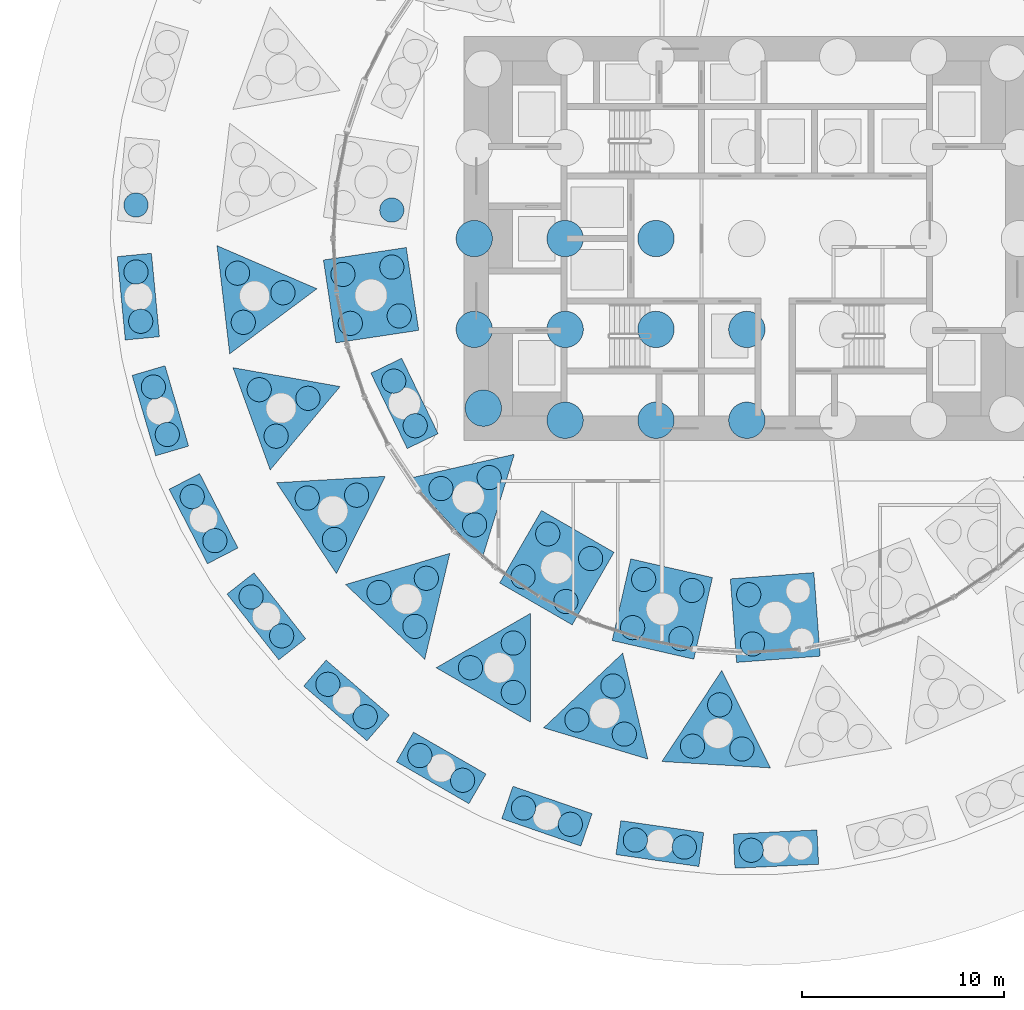
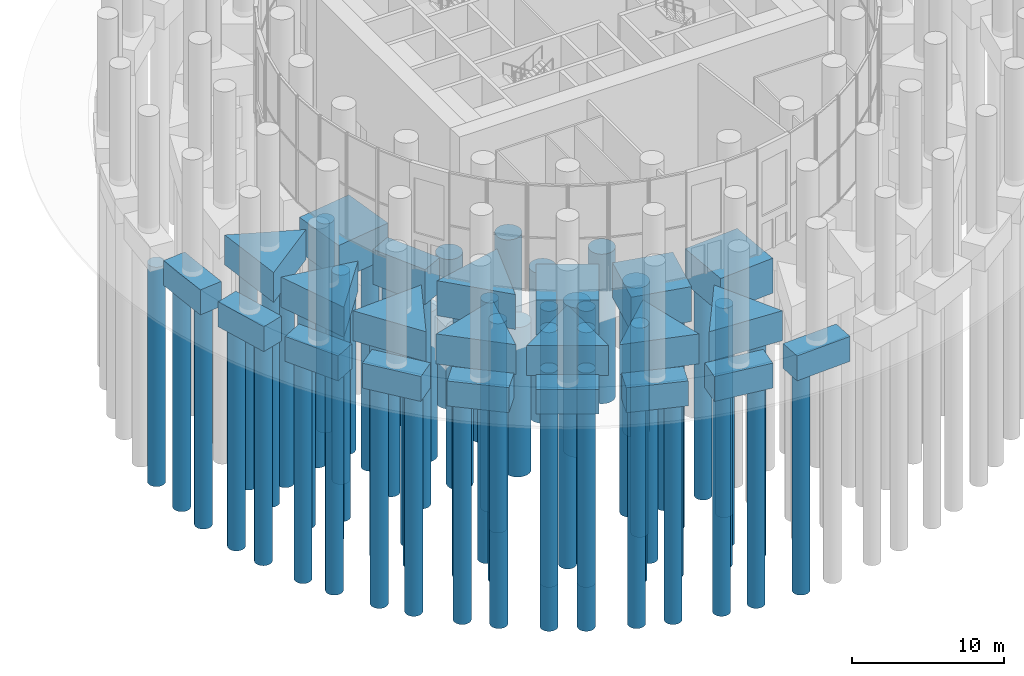
# One storey, part 1 of 20: 70 piles, 22 footings.
"""IFC4 building model written with IfcOpenShell, lengths in metres."""

from ifc_helpers import new_model, si_unit, direction, frame, origin, origin_2d, place, context, subcontext, project, spatial, polyline, circle, outline, extrude, material, material_profile, profile_set, type_object, element, save


model = new_model("IFC4")

# Units and contexts
model_context = context("Model", 3, precision=1e-05, world=origin(), true_north=direction((0.0, 1.0)))
body_context = subcontext(model_context, "Body", "Model", "MODEL_VIEW")
ifc_project = project(units=[si_unit("LENGTHUNIT", "METRE"), si_unit("AREAUNIT", "SQUARE_METRE"), si_unit("VOLUMEUNIT", "CUBIC_METRE"), si_unit("PLANEANGLEUNIT", "RADIAN"), si_unit("MASSUNIT", "GRAM", prefix="KILO")], contexts=[model_context])

# Site, building, storey
site_placement = place(None, origin())
site = spatial("IfcSite", under=ifc_project, at=site_placement, CompositionType="ELEMENT")
building_placement = place(site_placement, origin())
building = spatial("IfcBuilding", under=site, at=building_placement, Name="Tracery Tower", CompositionType="ELEMENT")
storey_placement = place(building_placement, origin())
storey = spatial("IfcBuildingStorey", under=building, at=storey_placement, Name="L00", CompositionType="ELEMENT", Elevation=0.0)

# Piles
ifc_material_1 = material(Name="Concrete C50/60", Category="concrete")
ifc_material_profile_1 = material_profile(ifc_material_1, circle(Radius=0.89990234375, at=origin_2d()), Name="RC D1800")
ifc_profile_set_1 = profile_set([ifc_material_profile_1], Name="Concrete C50/60")
pile_type_1 = type_object("IfcPileType", Name="Core bored pile D1800", PredefinedType="BORED", material=ifc_profile_set_1)
for number, where, z_axis, x_axis, name in (
    (1, (-13.050048828125, -8.39990234375, -8.0), (0.0, 0.0, -1.0), (1.0, 0.0, 0.0), "Core bored pile 01"),
    (2, (-13.5, -4.5, -8.0), (0.0, 0.0, -1.0), (1.0, 0.0, 0.0), "Core bored pile 02"),
    (3, (-13.5, 0.0, -8.0), (0.0, 0.0, -1.0), (1.0, 0.0, 0.0), "Core bored pile 03"),
    (4, (-9.0, -9.0, -8.0), (0.0, 0.0, -1.0), (1.0, 0.0, 0.0), "Core bored pile 06"),
    (5, (-9.0, -4.5, -8.0), (0.0, 0.0, -1.0), (1.0, 0.0, 0.0), "Core bored pile 07"),
    (6, (-9.0, 0.0, -8.0), (0.0, 0.0, -1.0), (1.0, 0.0, 0.0), "Core bored pile 08"),
    (7, (-4.5, -9.0, -8.0), (0.0, 0.0, -1.0), (1.0, 0.0, 0.0), "Core bored pile 11"),
    (8, (-4.5, -4.5, -8.0), (0.0, 0.0, -1.0), (1.0, 0.0, 0.0), "Core bored pile 12"),
    (9, (-4.5, 0.0, -8.0), (0.0, 0.0, -1.0), (1.0, 0.0, 0.0), "Core bored pile 13"),
    (10, (0.0, -9.0, -8.0), (0.0, 0.0, -1.0), (1.0, 0.0, 0.0), "Core bored pile 16"),
    (11, (0.0, -4.5, -8.0), (0.0, 0.0, -1.0), (1.0, 0.0, 0.0), "Core bored pile 17"),
):
    element("IfcPile", number, at=place(storey_placement, frame(where, z_axis=z_axis, x_axis=x_axis)), inside=storey, type_object=pile_type_1, Name=name, PredefinedType="BORED", context=body_context, shape_type="SweptSolid", body=[
        extrude(circle(Radius=0.89990234375, at=origin_2d()), origin(), (0.0, 0.0, 1.0), 12.0),
    ])
ifc_material_2 = material(Name="Concrete C50/60", Category="concrete")
ifc_material_profile_2 = material_profile(ifc_material_2, circle(Radius=0.60009765625, at=origin_2d()), Name="RC D1200")
ifc_profile_set_2 = profile_set([ifc_material_profile_2], Name="Concrete C50/60")
pile_type_2 = type_object("IfcPileType", Name="Ring 0 bored pile D1200", PredefinedType="BORED", material=ifc_profile_set_2)
for number, where, z_axis, x_axis, name in (
    (12, (-30.25390625, 1.658203125, -2.39990234375), (0.0, 0.0, -1.0), (1.0, 0.0, 0.0), "Bored pile 2 under ring 0 column 16"),
    (13, (-30.25390625, -1.658203125, -2.39990234375), (0.0, 0.0, -1.0), (1.0, 0.0, 0.0), "Bored pile 1 under ring 0 column 17"),
    (14, (-30.02099609375, -4.09716796875, -2.39990234375), (0.0, 0.0, -1.0), (1.0, 0.0, 0.0), "Bored pile 2 under ring 0 column 17"),
    (15, (-29.393310546875, -7.35400390625, -2.39990234375), (0.0, 0.0, -1.0), (1.0, 0.0, 0.0), "Bored pile 1 under ring 0 column 18"),
    (16, (-28.703125, -9.70458984375, -2.39990234375), (0.0, 0.0, -1.0), (1.0, 0.0, 0.0), "Bored pile 2 under ring 0 column 18"),
    (17, (-27.470458984375, -12.78369140625, -2.39990234375), (0.0, 0.0, -1.0), (1.0, 0.0, 0.0), "Bored pile 1 under ring 0 column 19"),
    (18, (-26.347900390625, -14.96142578125, -2.39990234375), (0.0, 0.0, -1.0), (1.0, 0.0, 0.0), "Bored pile 2 under ring 0 column 19"),
    (19, (-24.5546875, -17.751708984375, -2.39990234375), (0.0, 0.0, -1.0), (1.0, 0.0, 0.0), "Bored pile 1 under ring 0 column 20"),
    (20, (-23.040283203125, -19.677490234375, -2.39990234375), (0.0, 0.0, -1.0), (1.0, 0.0, 0.0), "Bored pile 2 under ring 0 column 20"),
    (21, (-20.75146484375, -22.077880859375, -2.39990234375), (0.0, 0.0, -1.0), (1.0, 0.0, 0.0), "Bored pile 1 under ring 0 column 21"),
    (22, (-18.89990234375, -23.68212890625, -2.39990234375), (0.0, 0.0, -1.0), (1.0, 0.0, 0.0), "Bored pile 2 under ring 0 column 21"),
    (23, (-16.1982421875, -25.606201171875, -2.39990234375), (0.0, 0.0, -1.0), (1.0, 0.0, 0.0), "Bored pile 1 under ring 0 column 22"),
    (24, (-14.076416015625, -26.8310546875, -2.39990234375), (0.0, 0.0, -1.0), (1.0, 0.0, 0.0), "Bored pile 2 under ring 0 column 22"),
    (25, (-11.0595703125, -28.208984375, -2.39990234375), (0.0, 0.0, -1.0), (1.0, 0.0, 0.0), "Bored pile 1 under ring 0 column 23"),
    (26, (-8.744140625, -29.01025390625, -2.39990234375), (0.0, 0.0, -1.0), (1.0, 0.0, 0.0), "Bored pile 2 under ring 0 column 23"),
    (27, (-5.52099609375, -29.7919921875, -2.39990234375), (0.0, 0.0, -1.0), (1.0, 0.0, 0.0), "Bored pile 1 under ring 0 column 24"),
    (28, (-3.095947265625, -30.140869140625, -2.39990234375), (0.0, 0.0, -1.0), (1.0, 0.0, 0.0), "Bored pile 2 under ring 0 column 24"),
    (29, (0.216796875, -30.298583984375, -2.39990234375), (0.0, 0.0, -1.0), (1.0, 0.0, 0.0), "Bored pile 1 under ring 0 column 25"),
):
    element("IfcPile", number, at=place(storey_placement, frame(where, z_axis=z_axis, x_axis=x_axis)), inside=storey, type_object=pile_type_2, Name=name, PredefinedType="BORED", context=body_context, shape_type="SweptSolid", body=[
        extrude(circle(Radius=0.60009765625, at=origin_2d()), origin(), (0.0, 0.0, 1.0), 17.60009765625),
    ])

# Footings
ifc_material_3 = material(Name="Concrete C50/60", Category="concrete")
footing_type_1 = type_object("IfcFootingType", Name="Ring 0 pile cap 2 piles", PredefinedType="PILE_CAP", material=ifc_material_3)
footing_1_placement = place(storey_placement, frame((0.0, 0.0, -2.39990234375)))
element("IfcFooting", 30, at=footing_1_placement, inside=storey, type_object=footing_type_1, Name="Pile cap under ring 0 column 17", PredefinedType="PILE_CAP", context=body_context, shape_type="SweptSolid", body=[
    extrude(outline(polyline([(-29.488525390625, -0.7314453125), (-31.180908203125, -0.89306640625), (-31.10009765625, -1.739013671875), (-30.786376953125, -5.024169921875), (-29.093994140625, -4.862548828125), (-29.1748046875, -4.016357421875), (-29.488525390625, -0.7314453125)])), origin(), (0.0, 0.0, 1.0), 2.0),
])
footing_2_placement = place(storey_placement, frame((0.0, 0.0, -2.39990234375)))
element("IfcFooting", 31, at=footing_2_placement, inside=storey, type_object=footing_type_1, Name="Pile cap under ring 0 column 18", PredefinedType="PILE_CAP", context=body_context, shape_type="SweptSolid", body=[
    extrude(outline(polyline([(-28.8173828125, -6.298828125), (-30.448486328125, -6.77783203125), (-30.208984375, -7.593505859375), (-29.279296875, -10.759765625), (-27.648193359375, -10.28076171875), (-27.8876953125, -9.465087890625), (-28.8173828125, -6.298828125)])), origin(), (0.0, 0.0, 1.0), 2.0),
])
footing_3_placement = place(storey_placement, frame((0.0, 0.0, -2.39990234375)))
element("IfcFooting", 32, at=footing_3_placement, inside=storey, type_object=footing_type_1, Name="Pile cap under ring 0 column 19", PredefinedType="PILE_CAP", context=body_context, shape_type="SweptSolid", body=[
    extrude(outline(polyline([(-27.1044921875, -11.638916015625), (-28.615478515625, -12.417724609375), (-28.22607421875, -13.17333984375), (-26.7138671875, -16.1064453125), (-25.202880859375, -15.327392578125), (-25.59228515625, -14.572021484375), (-27.1044921875, -11.638916015625)])), origin(), (0.0, 0.0, 1.0), 2.0),
])
footing_4_placement = place(storey_placement, frame((0.0, 0.0, -2.39990234375)))
element("IfcFooting", 33, at=footing_4_placement, inside=storey, type_object=footing_type_1, Name="Pile cap under ring 0 column 20", PredefinedType="PILE_CAP", context=body_context, shape_type="SweptSolid", body=[
    extrude(outline(polyline([(-24.412109375, -16.55810546875), (-25.748291015625, -17.60888671875), (-25.222900390625, -18.277099609375), (-23.182861328125, -20.87109375), (-21.8466796875, -19.820068359375), (-22.3720703125, -19.152099609375), (-24.412109375, -16.55810546875)])), origin(), (0.0, 0.0, 1.0), 2.0),
])
footing_5_placement = place(storey_placement, frame((0.0, 0.0, -2.39990234375)))
element("IfcFooting", 34, at=footing_5_placement, inside=storey, type_object=footing_type_1, Name="Pile cap under ring 0 column 21", PredefinedType="PILE_CAP", context=body_context, shape_type="SweptSolid", body=[
    extrude(outline(polyline([(-20.837158203125, -20.87890625), (-21.950439453125, -22.16357421875), (-21.30810546875, -22.72021484375), (-18.814208984375, -24.881103515625), (-17.70068359375, -23.596435546875), (-18.34326171875, -23.039794921875), (-20.837158203125, -20.87890625)])), origin(), (0.0, 0.0, 1.0), 2.0),
])
footing_6_placement = place(storey_placement, frame((0.0, 0.0, -2.39990234375)))
element("IfcFooting", 35, at=footing_6_placement, inside=storey, type_object=footing_type_1, Name="Pile cap under ring 0 column 22", PredefinedType="PILE_CAP", context=body_context, shape_type="SweptSolid", body=[
    extrude(outline(polyline([(-16.50927734375, -24.44482421875), (-17.359375, -25.917236328125), (-16.623291015625, -26.34228515625), (-13.765380859375, -27.9921875), (-12.915283203125, -26.52001953125), (-13.6513671875, -26.094970703125), (-16.50927734375, -24.44482421875)])), origin(), (0.0, 0.0, 1.0), 2.0),
])
footing_7_placement = place(storey_placement, frame((0.0, 0.0, -2.39990234375)))
element("IfcFooting", 36, at=footing_7_placement, inside=storey, type_object=footing_type_1, Name="Pile cap under ring 0 column 23", PredefinedType="PILE_CAP", context=body_context, shape_type="SweptSolid", body=[
    extrude(outline(polyline([(-11.584716796875, -27.127685546875), (-12.140625, -28.734130859375), (-11.33740234375, -29.01220703125), (-8.218994140625, -30.09130859375), (-7.6630859375, -28.48486328125), (-8.46630859375, -28.206787109375), (-11.584716796875, -27.127685546875)])), origin(), (0.0, 0.0, 1.0), 2.0),
])
footing_8_placement = place(storey_placement, frame((0.0, 0.0, -2.39990234375)))
element("IfcFooting", 37, at=footing_8_placement, inside=storey, type_object=footing_type_1, Name="Pile cap under ring 0 column 24", PredefinedType="PILE_CAP", context=body_context, shape_type="SweptSolid", body=[
    extrude(outline(polyline([(-6.241455078125, -28.829833984375), (-6.4833984375, -30.512451171875), (-5.64208984375, -30.633544921875), (-2.37548828125, -31.10302734375), (-2.1337890625, -29.42041015625), (-2.97509765625, -29.29931640625), (-6.241455078125, -28.829833984375)])), origin(), (0.0, 0.0, 1.0), 2.0),
])
footing_9_placement = place(storey_placement, frame((0.0, 0.0, -2.39990234375)))
element("IfcFooting", 38, at=footing_9_placement, inside=storey, type_object=footing_type_1, Name="Pile cap under ring 0 column 25", PredefinedType="PILE_CAP", context=body_context, shape_type="SweptSolid", body=[
    extrude(outline(polyline([(-0.672607421875, -29.489990234375), (-0.591796875, -31.18798828125), (0.25732421875, -31.147705078125), (3.5537109375, -30.990478515625), (3.47265625, -29.29248046875), (2.623779296875, -29.3330078125), (-0.672607421875, -29.489990234375)])), origin(), (0.0, 0.0, 1.0), 2.0),
])

# Piles
ifc_material_4 = material(Name="Concrete C50/60", Category="concrete")
ifc_material_profile_3 = material_profile(ifc_material_4, circle(Radius=0.60009765625, at=origin_2d()), Name="RC D1200")
ifc_profile_set_3 = profile_set([ifc_material_profile_3], Name="Concrete C50/60")
pile_type_3 = type_object("IfcPileType", Name="Ring 1 bored pile D1200", PredefinedType="BORED", material=ifc_profile_set_3)
for number, where, z_axis, x_axis, name in (
    (39, (-25.226318359375, -1.715087890625, -2.800048828125), (0.0, 0.0, -1.0), (1.0, 0.0, 0.0), "Bored pile 1 under ring 1 column 14"),
    (40, (-24.94189453125, -4.148681640625, -2.800048828125), (0.0, 0.0, -1.0), (1.0, 0.0, 0.0), "Bored pile 2 under ring 1 column 14"),
    (41, (-22.976806640625, -2.685546875, -2.800048828125), (0.0, 0.0, -1.0), (1.0, 0.0, 0.0), "Bored pile 3 under ring 1 column 14"),
    (42, (-24.15087890625, -7.486572265625, -2.800048828125), (0.0, 0.0, -1.0), (1.0, 0.0, 0.0), "Bored pile 1 under ring 1 column 15"),
    (43, (-23.31298828125, -9.788818359375, -2.800048828125), (0.0, 0.0, -1.0), (1.0, 0.0, 0.0), "Bored pile 2 under ring 1 column 15"),
    (44, (-21.738037109375, -7.912109375, -2.800048828125), (0.0, 0.0, -1.0), (1.0, 0.0, 0.0), "Bored pile 3 under ring 1 column 15"),
    (45, (-21.7734375, -12.854248046875, -2.800048828125), (0.0, 0.0, -1.0), (1.0, 0.0, 0.0), "Bored pile 1 under ring 1 column 16"),
    (46, (-20.427001953125, -14.9013671875, -2.800048828125), (0.0, 0.0, -1.0), (1.0, 0.0, 0.0), "Bored pile 2 under ring 1 column 16"),
    (47, (-19.327392578125, -12.7119140625, -2.800048828125), (0.0, 0.0, -1.0), (1.0, 0.0, 0.0), "Bored pile 3 under ring 1 column 16"),
    (48, (-18.221923828125, -17.529052734375, -2.800048828125), (0.0, 0.0, -1.0), (1.0, 0.0, 0.0), "Bored pile 1 under ring 1 column 17"),
    (49, (-16.43994140625, -19.21044921875, -2.800048828125), (0.0, 0.0, -1.0), (1.0, 0.0, 0.0), "Bored pile 2 under ring 1 column 17"),
    (50, (-15.875, -16.826416015625, -2.800048828125), (0.0, 0.0, -1.0), (1.0, 0.0, 0.0), "Bored pile 3 under ring 1 column 17"),
    (51, (-13.6884765625, -21.2587890625, -2.800048828125), (0.0, 0.0, -1.0), (1.0, 0.0, 0.0), "Bored pile 1 under ring 1 column 18"),
    (52, (-11.566650390625, -22.48388671875, -2.800048828125), (0.0, 0.0, -1.0), (1.0, 0.0, 0.0), "Bored pile 2 under ring 1 column 18"),
    (53, (-11.566650390625, -20.033935546875, -2.800048828125), (0.0, 0.0, -1.0), (1.0, 0.0, 0.0), "Bored pile 3 under ring 1 column 18"),
    (54, (-8.416748046875, -23.842529296875, -2.800048828125), (0.0, 0.0, -1.0), (1.0, 0.0, 0.0), "Bored pile 1 under ring 1 column 19"),
    (55, (-6.069580078125, -24.54541015625, -2.800048828125), (0.0, 0.0, -1.0), (1.0, 0.0, 0.0), "Bored pile 2 under ring 1 column 19"),
    (56, (-6.634765625, -22.161376953125, -2.800048828125), (0.0, 0.0, -1.0), (1.0, 0.0, 0.0), "Bored pile 3 under ring 1 column 19"),
    (57, (-2.69140625, -25.14111328125, -2.800048828125), (0.0, 0.0, -1.0), (1.0, 0.0, 0.0), "Bored pile 1 under ring 1 column 20"),
    (58, (-0.24560546875, -25.283447265625, -2.800048828125), (0.0, 0.0, -1.0), (1.0, 0.0, 0.0), "Bored pile 2 under ring 1 column 20"),
    (59, (-1.34521484375, -23.093994140625, -2.800048828125), (0.0, 0.0, -1.0), (1.0, 0.0, 0.0), "Bored pile 3 under ring 1 column 20"),
):
    element("IfcPile", number, at=place(storey_placement, frame(where, z_axis=z_axis, x_axis=x_axis)), inside=storey, type_object=pile_type_3, Name=name, PredefinedType="BORED", context=body_context, shape_type="SweptSolid", body=[
        extrude(circle(Radius=0.60009765625, at=origin_2d()), origin(), (0.0, 0.0, 1.0), 17.199951171875),
    ])

# Footings
ifc_material_5 = material(Name="Concrete C50/60", Category="concrete")
footing_type_2 = type_object("IfcFootingType", Name="Ring 1 pile cap 3 piles apex inward", PredefinedType="PILE_CAP", material=ifc_material_5)
footing_10_placement = place(storey_placement, frame((0.0, 0.0, -2.800048828125)))
element("IfcFooting", 60, at=footing_10_placement, inside=storey, type_object=footing_type_2, Name="Pile cap under ring 1 column 14", PredefinedType="PILE_CAP", context=body_context, shape_type="SweptSolid", body=[
    extrude(outline(polyline([(-25.615234375, -5.709716796875), (-21.288330078125, -2.48828125), (-26.24169921875, -0.3515625), (-25.615234375, -5.709716796875)])), origin(), (0.0, 0.0, 1.0), 2.400146484375),
])
footing_11_placement = place(storey_placement, frame((0.0, 0.0, -2.800048828125)))
element("IfcFooting", 61, at=footing_11_placement, inside=storey, type_object=footing_type_2, Name="Pile cap under ring 1 column 15", PredefinedType="PILE_CAP", context=body_context, shape_type="SweptSolid", body=[
    extrude(outline(polyline([(-23.608154296875, -11.462890625), (-20.140625, -7.33056640625), (-25.453125, -6.393798828125), (-23.608154296875, -11.462890625)])), origin(), (0.0, 0.0, 1.0), 2.400146484375),
])
footing_12_placement = place(storey_placement, frame((0.0, 0.0, -2.800048828125)))
element("IfcFooting", 62, at=footing_12_placement, inside=storey, type_object=footing_type_2, Name="Pile cap under ring 1 column 16", PredefinedType="PILE_CAP", context=body_context, shape_type="SweptSolid", body=[
    extrude(outline(polyline([(-20.328125, -16.598388671875), (-17.9072265625, -11.777587890625), (-23.29248046875, -12.09130859375), (-20.328125, -16.598388671875)])), origin(), (0.0, 0.0, 1.0), 2.400146484375),
])
footing_13_placement = place(storey_placement, frame((0.0, 0.0, -2.800048828125)))
element("IfcFooting", 63, at=footing_13_placement, inside=storey, type_object=footing_type_2, Name="Pile cap under ring 1 column 17", PredefinedType="PILE_CAP", context=body_context, shape_type="SweptSolid", body=[
    extrude(outline(polyline([(-15.952392578125, -20.839111328125), (-14.708251953125, -15.58984375), (-19.876220703125, -17.13720703125), (-15.952392578125, -20.839111328125)])), origin(), (0.0, 0.0, 1.0), 2.400146484375),
])
footing_14_placement = place(storey_placement, frame((0.0, 0.0, -2.800048828125)))
element("IfcFooting", 64, at=footing_14_placement, inside=storey, type_object=footing_type_2, Name="Pile cap under ring 1 column 18", PredefinedType="PILE_CAP", context=body_context, shape_type="SweptSolid", body=[
    extrude(outline(polyline([(-10.716552734375, -23.956298828125), (-10.716552734375, -18.561767578125), (-15.388427734375, -21.2587890625), (-10.716552734375, -23.956298828125)])), origin(), (0.0, 0.0, 1.0), 2.400146484375),
])
footing_15_placement = place(storey_placement, frame((0.0, 0.0, -2.800048828125)))
element("IfcFooting", 65, at=footing_15_placement, inside=storey, type_object=footing_type_2, Name="Pile cap under ring 1 column 19", PredefinedType="PILE_CAP", context=body_context, shape_type="SweptSolid", body=[
    extrude(outline(polyline([(-4.903076171875, -25.781982421875), (-6.147216796875, -20.53271484375), (-10.07080078125, -24.234619140625), (-4.903076171875, -25.781982421875)])), origin(), (0.0, 0.0, 1.0), 2.400146484375),
])
footing_16_placement = place(storey_placement, frame((0.0, 0.0, -2.800048828125)))
element("IfcFooting", 66, at=footing_16_placement, inside=storey, type_object=footing_type_2, Name="Pile cap under ring 1 column 20", PredefinedType="PILE_CAP", context=body_context, shape_type="SweptSolid", body=[
    extrude(outline(polyline([(1.1748046875, -26.217529296875), (-1.24609375, -21.39697265625), (-4.210693359375, -25.904052734375), (1.1748046875, -26.217529296875)])), origin(), (0.0, 0.0, 1.0), 2.400146484375),
])

# Piles
ifc_material_6 = material(Name="Concrete C50/60", Category="concrete")
ifc_material_profile_4 = material_profile(ifc_material_6, circle(Radius=0.60009765625, at=origin_2d()), Name="RC D1200")
ifc_profile_set_4 = profile_set([ifc_material_profile_4], Name="Concrete C50/60")
pile_type_4 = type_object("IfcPileType", Name="Ring 2 bored pile D1200", PredefinedType="BORED", material=ifc_profile_set_4)
for number, where, z_axis, x_axis, name in (
    (67, (-17.583251953125, 1.411376953125, -3.199951171875), (0.0, 0.0, -1.0), (1.0, 0.0, 0.0), "Bored pile 2 under ring 2 column 10"),
    (68, (-17.583251953125, -1.411376953125, -3.199951171875), (0.0, 0.0, -1.0), (1.0, 0.0, 0.0), "Bored pile 1 under ring 2 column 11"),
    (69, (-17.218017578125, -3.833984375, -3.199951171875), (0.0, 0.0, -1.0), (1.0, 0.0, 0.0), "Bored pile 2 under ring 2 column 11"),
    (70, (-20.005859375, -1.776611328125, -3.199951171875), (0.0, 0.0, -1.0), (1.0, 0.0, 0.0), "Bored pile 3 under ring 2 column 11"),
    (71, (-19.640625, -4.19921875, -3.199951171875), (0.0, 0.0, -1.0), (1.0, 0.0, 0.0), "Bored pile 4 under ring 2 column 11"),
    (72, (-17.48974609375, -7.06298828125, -3.199951171875), (0.0, 0.0, -1.0), (1.0, 0.0, 0.0), "Bored pile 1 under ring 2 column 12"),
    (73, (-16.4267578125, -9.270263671875, -3.199951171875), (0.0, 0.0, -1.0), (1.0, 0.0, 0.0), "Bored pile 2 under ring 2 column 12"),
    (74, (-15.1494140625, -12.385498046875, -3.199951171875), (0.0, 0.0, -1.0), (1.0, 0.0, 0.0), "Bored pile 1 under ring 2 column 13"),
    (75, (-13.48291015625, -14.181396484375, -3.199951171875), (0.0, 0.0, -1.0), (1.0, 0.0, 0.0), "Bored pile 2 under ring 2 column 13"),
    (76, (-12.7607421875, -11.840087890625, -3.199951171875), (0.0, 0.0, -1.0), (1.0, 0.0, 0.0), "Bored pile 3 under ring 2 column 13"),
    (77, (-9.859619140625, -14.627197265625, -3.199951171875), (0.0, 0.0, -1.0), (1.0, 0.0, 0.0), "Bored pile 1 under ring 2 column 14"),
    (78, (-7.73779296875, -15.85205078125, -3.199951171875), (0.0, 0.0, -1.0), (1.0, 0.0, 0.0), "Bored pile 2 under ring 2 column 14"),
    (79, (-11.08447265625, -16.748779296875, -3.199951171875), (0.0, 0.0, -1.0), (1.0, 0.0, 0.0), "Bored pile 3 under ring 2 column 14"),
    (80, (-8.962646484375, -17.973876953125, -3.199951171875), (0.0, 0.0, -1.0), (1.0, 0.0, 0.0), "Bored pile 4 under ring 2 column 14"),
    (81, (-5.110107421875, -16.88330078125, -3.199951171875), (0.0, 0.0, -1.0), (1.0, 0.0, 0.0), "Bored pile 1 under ring 2 column 15"),
    (82, (-2.721435546875, -17.4287109375, -3.199951171875), (0.0, 0.0, -1.0), (1.0, 0.0, 0.0), "Bored pile 2 under ring 2 column 15"),
    (83, (-5.6552734375, -19.27197265625, -3.199951171875), (0.0, 0.0, -1.0), (1.0, 0.0, 0.0), "Bored pile 3 under ring 2 column 15"),
    (84, (-3.2666015625, -19.817138671875, -3.199951171875), (0.0, 0.0, -1.0), (1.0, 0.0, 0.0), "Bored pile 4 under ring 2 column 15"),
    (85, (0.093505859375, -17.639404296875, -3.199951171875), (0.0, 0.0, -1.0), (1.0, 0.0, 0.0), "Bored pile 1 under ring 2 column 16"),
    (86, (0.276611328125, -20.082763671875, -3.199951171875), (0.0, 0.0, -1.0), (1.0, 0.0, 0.0), "Bored pile 3 under ring 2 column 16"),
):
    element("IfcPile", number, at=place(storey_placement, frame(where, z_axis=z_axis, x_axis=x_axis)), inside=storey, type_object=pile_type_4, Name=name, PredefinedType="BORED", context=body_context, shape_type="SweptSolid", body=[
        extrude(circle(Radius=0.60009765625, at=origin_2d()), origin(), (0.0, 0.0, 1.0), 16.800048828125),
    ])

# Footings
ifc_material_7 = material(Name="Concrete C50/60", Category="concrete")
footing_type_3 = type_object("IfcFootingType", Name="Ring 2 pile cap 2 piles", PredefinedType="PILE_CAP", material=ifc_material_7)
footing_17_placement = place(storey_placement, frame((0.0, 0.0, -3.199951171875)))
element("IfcFooting", 87, at=footing_17_placement, inside=storey, type_object=footing_type_3, Name="Pile cap under ring 2 column 12", PredefinedType="PILE_CAP", context=body_context, shape_type="SweptSolid", body=[
    extrude(outline(polyline([(-17.0927734375, -5.92822265625), (-18.624267578125, -6.666015625), (-18.255615234375, -7.431884765625), (-16.82373046875, -10.405029296875), (-15.2919921875, -9.66748046875), (-15.660888671875, -8.901611328125), (-17.0927734375, -5.92822265625)])), origin(), (0.0, 0.0, 1.0), 2.800048828125),
])
ifc_material_8 = material(Name="Concrete C50/60", Category="concrete")
footing_type_4 = type_object("IfcFootingType", Name="Ring 2 pile cap 3 piles apex inward", PredefinedType="PILE_CAP", material=ifc_material_8)
footing_18_placement = place(storey_placement, frame((0.0, 0.0, -3.199951171875)))
element("IfcFooting", 88, at=footing_18_placement, inside=storey, type_object=footing_type_4, Name="Pile cap under ring 2 column 13", PredefinedType="PILE_CAP", context=body_context, shape_type="SweptSolid", body=[
    extrude(outline(polyline([(-13.1044921875, -15.8388671875), (-11.5146484375, -10.683837890625), (-16.773681640625, -11.88427734375), (-13.1044921875, -15.8388671875)])), origin(), (0.0, 0.0, 1.0), 2.800048828125),
])
ifc_material_9 = material(Name="Concrete C50/60", Category="concrete")
footing_type_5 = type_object("IfcFootingType", Name="Ring 2 pile cap 4 piles", PredefinedType="PILE_CAP", material=ifc_material_9)
footing_19_placement = place(storey_placement, frame((0.0, 0.0, -3.199951171875)))
element("IfcFooting", 89, at=footing_19_placement, inside=storey, type_object=footing_type_5, Name="Pile cap under ring 2 column 11", PredefinedType="PILE_CAP", context=body_context, shape_type="SweptSolid", body=[
    extrude(outline(polyline([(-20.97314453125, -1.062744140625), (-20.3544921875, -5.16650390625), (-16.2509765625, -4.5478515625), (-16.869384765625, -0.444091796875), (-20.97314453125, -1.062744140625)])), origin(), (0.0, 0.0, 1.0), 2.800048828125),
])
footing_20_placement = place(storey_placement, frame((0.0, 0.0, -3.199951171875)))
element("IfcFooting", 90, at=footing_20_placement, inside=storey, type_object=footing_type_5, Name="Pile cap under ring 2 column 14", PredefinedType="PILE_CAP", context=body_context, shape_type="SweptSolid", body=[
    extrude(outline(polyline([(-12.24560546875, -17.06005859375), (-8.651611328125, -19.135009765625), (-6.57666015625, -15.541015625), (-10.170654296875, -13.466064453125), (-12.24560546875, -17.06005859375)])), origin(), (0.0, 0.0, 1.0), 2.800048828125),
])
footing_21_placement = place(storey_placement, frame((0.0, 0.0, -3.199951171875)))
element("IfcFooting", 91, at=footing_21_placement, inside=storey, type_object=footing_type_5, Name="Pile cap under ring 2 column 15", PredefinedType="PILE_CAP", context=body_context, shape_type="SweptSolid", body=[
    extrude(outline(polyline([(-6.673095703125, -19.91162109375), (-2.627197265625, -20.8349609375), (-1.70361328125, -16.7890625), (-5.74951171875, -15.865478515625), (-6.673095703125, -19.91162109375)])), origin(), (0.0, 0.0, 1.0), 2.800048828125),
])
footing_22_placement = place(storey_placement, frame((0.0, 0.0, -3.199951171875)))
element("IfcFooting", 92, at=footing_22_placement, inside=storey, type_object=footing_type_5, Name="Pile cap under ring 2 column 16", PredefinedType="PILE_CAP", context=body_context, shape_type="SweptSolid", body=[
    extrude(outline(polyline([(-0.507568359375, -20.993896484375), (3.630859375, -20.68359375), (3.32080078125, -16.54541015625), (-0.817626953125, -16.85546875), (-0.507568359375, -20.993896484375)])), origin(), (0.0, 0.0, 1.0), 2.800048828125),
])

save(model, "model.ifc")
